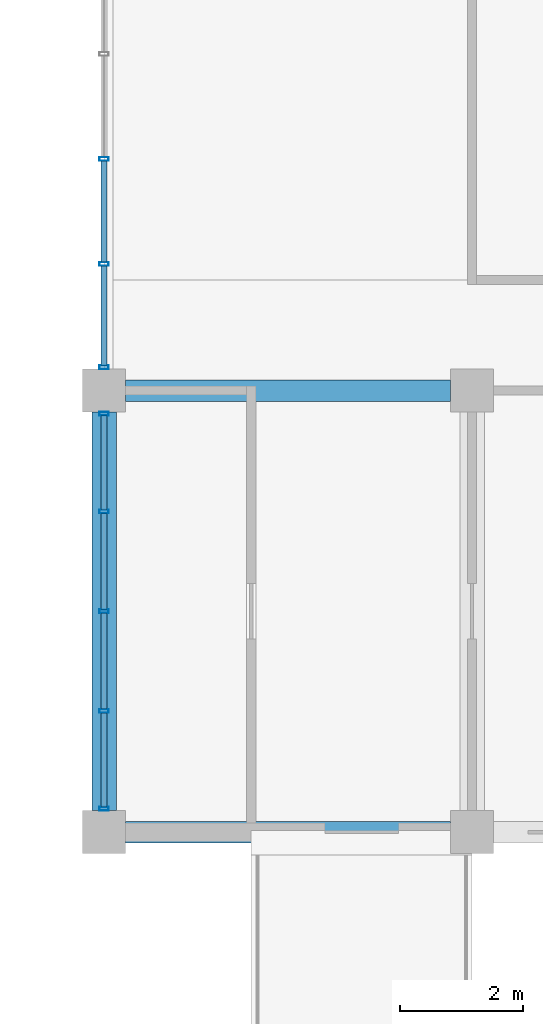
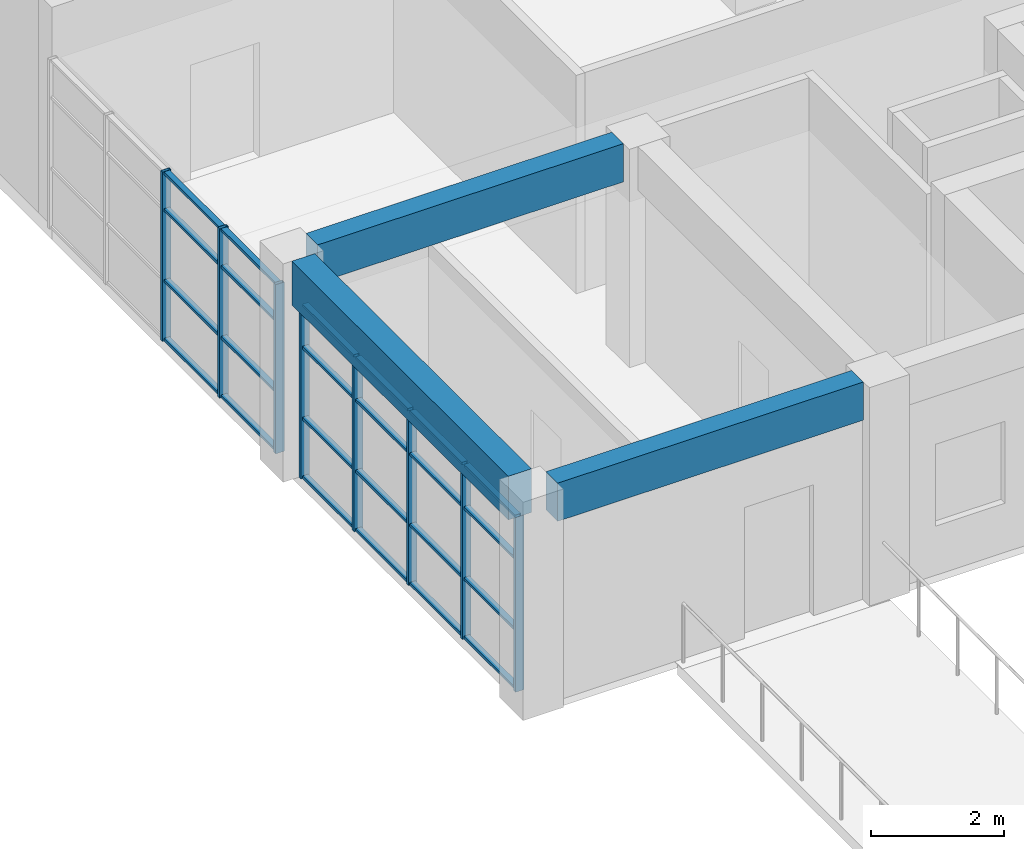
# One storey, part 46 of 101: 32 members, 3 beams, 2 elements without a shape of their own.
"""IFC4 building model written with IfcOpenShell, lengths in metres."""

from ifc_helpers import new_model, si_unit, direction, frame, origin, origin_2d, place, context, subcontext, project, spatial, rectangle, hollow_rectangle, extrude, material, material_profile, profile_set, type_object, element, aggregate, save


model = new_model("IFC4")

# Units and contexts
model_context = context("Model", 3, precision=1e-05, world=origin(), true_north=direction((0.0, 1.0)))
body_context = subcontext(model_context, "Body", "Model", "MODEL_VIEW")
ifc_project = project(units=[si_unit("LENGTHUNIT", "METRE"), si_unit("AREAUNIT", "SQUARE_METRE"), si_unit("VOLUMEUNIT", "CUBIC_METRE"), si_unit("PLANEANGLEUNIT", "RADIAN"), si_unit("MASSUNIT", "GRAM", prefix="KILO")], contexts=[model_context])

# Site, building, storey
site_placement = place(None, origin())
site = spatial("IfcSite", under=ifc_project, at=site_placement, CompositionType="ELEMENT")
building_placement = place(site_placement, origin())
building = spatial("IfcBuilding", under=site, at=building_placement, Name="Laocheng Heights Fire and Rescue Headquarters", CompositionType="ELEMENT")
storey_placement = place(building_placement, frame((0.0, 0.0, 8.39990234375)))
storey = spatial("IfcBuildingStorey", under=building, at=storey_placement, Name="L02", CompositionType="ELEMENT", Elevation=8.39990234375)

# Curtain wall, members
ifc_material_1 = material(Name="Dark anodised aluminium unitised curtain wall, low-e double glazing", Category="aluminium")
curtain_wall_type_1 = type_object("IfcCurtainWallType", Name="CW 6500 x 3200 CREW COURT GLAZING", PredefinedType="NOTDEFINED", material=ifc_material_1)
curtain_wall_1_placement = place(storey_placement, origin())
curtain_wall_1 = element("IfcCurtainWall", 1, at=curtain_wall_1_placement, inside=storey, type_object=curtain_wall_type_1, Name="X4-W CREW WEST L02", PredefinedType="NOTDEFINED")
ifc_material_2 = material(Name="Dark anodised aluminium 6063-T5 extrusion", Category="aluminium")
ifc_material_profile_1 = material_profile(ifc_material_2, hollow_rectangle(XDim=0.14990234375, YDim=0.06005859375, WallThickness=0.0029296875, at=origin_2d()), Name="AL MULLION 150x60x3 CREW COURT GLAZING")
ifc_profile_set_1 = profile_set([ifc_material_profile_1], Name="Dark anodised aluminium 6063-T5 extrusion")
member_type_1 = type_object("IfcMemberType", Name="AL MULLION 150x60x3 CREW COURT GLAZING", PredefinedType="MULLION", material=ifc_profile_set_1)
member_1_placement = place(storey_placement, frame((90.0, 36.3798828125, 0.0), z_axis=(0.0, 0.0, 1.0), x_axis=(-1.0, 0.0, 0.0)))
member_1 = element("IfcMember", 2, at=member_1_placement, type_object=member_type_1, Name="X4-W mullion 1", PredefinedType="MULLION", context=body_context, shape_type="SweptSolid", body=[
    extrude(hollow_rectangle(XDim=0.14990234375, YDim=0.06005859375, WallThickness=0.0029296875, at=origin_2d()), origin(), (0.0, 0.0, 1.0), 3.2001953125),
])
member_2_placement = place(storey_placement, frame((90.0, 37.97509765625, 0.0), z_axis=(0.0, 0.0, 1.0), x_axis=(-1.0, 0.0, 0.0)))
member_2 = element("IfcMember", 3, at=member_2_placement, type_object=member_type_1, Name="X4-W mullion 2", PredefinedType="MULLION", context=body_context, shape_type="SweptSolid", body=[
    extrude(hollow_rectangle(XDim=0.14990234375, YDim=0.06005859375, WallThickness=0.0029296875, at=origin_2d()), origin(), (0.0, 0.0, 1.0), 3.2001953125),
])
member_3_placement = place(storey_placement, frame((90.0, 39.60009765625, 0.0), z_axis=(0.0, 0.0, 1.0), x_axis=(-1.0, 0.0, 0.0)))
member_3 = element("IfcMember", 4, at=member_3_placement, type_object=member_type_1, Name="X4-W mullion 3", PredefinedType="MULLION", context=body_context, shape_type="SweptSolid", body=[
    extrude(hollow_rectangle(XDim=0.14990234375, YDim=0.06005859375, WallThickness=0.0029296875, at=origin_2d()), origin(), (0.0, 0.0, 1.0), 3.2001953125),
])
member_4_placement = place(storey_placement, frame((90.0, 41.22509765625, 0.0), z_axis=(0.0, 0.0, 1.0), x_axis=(-1.0, 0.0, 0.0)))
member_4 = element("IfcMember", 5, at=member_4_placement, type_object=member_type_1, Name="X4-W mullion 4", PredefinedType="MULLION", context=body_context, shape_type="SweptSolid", body=[
    extrude(hollow_rectangle(XDim=0.14990234375, YDim=0.06005859375, WallThickness=0.0029296875, at=origin_2d()), origin(), (0.0, 0.0, 1.0), 3.2001953125),
])
member_5_placement = place(storey_placement, frame((90.0, 42.820068359375, 0.0), z_axis=(0.0, 0.0, 1.0), x_axis=(-1.0, 0.0, 0.0)))
member_5 = element("IfcMember", 6, at=member_5_placement, type_object=member_type_1, Name="X4-W mullion 5", PredefinedType="MULLION", context=body_context, shape_type="SweptSolid", body=[
    extrude(hollow_rectangle(XDim=0.14990234375, YDim=0.06005859375, WallThickness=0.0029296875, at=origin_2d()), origin(), (0.0, 0.0, 1.0), 3.2001953125),
])

ifc_material_3 = material(Name="Dark anodised aluminium unitised curtain wall, low-e double glazing", Category="aluminium")
curtain_wall_type_2 = type_object("IfcCurtainWallType", Name="CW 6850 x 3100 CREW COURT GLAZING", PredefinedType="NOTDEFINED", material=ifc_material_3)
curtain_wall_2_placement = place(storey_placement, origin())
curtain_wall_2 = element("IfcCurtainWall", 7, at=curtain_wall_2_placement, inside=storey, type_object=curtain_wall_type_2, Name="X5-W CREW WEST L02", PredefinedType="NOTDEFINED")
member_6_placement = place(storey_placement, frame((90.0, 43.580078125, 0.0), z_axis=(0.0, 0.0, 1.0), x_axis=(-1.0, 0.0, 0.0)))
member_6 = element("IfcMember", 8, at=member_6_placement, type_object=member_type_1, Name="X5-W mullion 1", PredefinedType="MULLION", context=body_context, shape_type="SweptSolid", body=[
    extrude(hollow_rectangle(XDim=0.14990234375, YDim=0.06005859375, WallThickness=0.0029296875, at=origin_2d()), origin(), (0.0, 0.0, 1.0), 3.10009765625),
])
member_7_placement = place(storey_placement, frame((90.0, 45.262451171875, 0.0), z_axis=(0.0, 0.0, 1.0), x_axis=(-1.0, 0.0, 0.0)))
member_7 = element("IfcMember", 9, at=member_7_placement, type_object=member_type_1, Name="X5-W mullion 2", PredefinedType="MULLION", context=body_context, shape_type="SweptSolid", body=[
    extrude(hollow_rectangle(XDim=0.14990234375, YDim=0.06005859375, WallThickness=0.0029296875, at=origin_2d()), origin(), (0.0, 0.0, 1.0), 3.10009765625),
])
member_8_placement = place(storey_placement, frame((90.0, 46.97509765625, 0.0), z_axis=(0.0, 0.0, 1.0), x_axis=(-1.0, 0.0, 0.0)))
member_8 = element("IfcMember", 10, at=member_8_placement, type_object=member_type_1, Name="X5-W mullion 3", PredefinedType="MULLION", context=body_context, shape_type="SweptSolid", body=[
    extrude(hollow_rectangle(XDim=0.14990234375, YDim=0.06005859375, WallThickness=0.0029296875, at=origin_2d()), origin(), (0.0, 0.0, 1.0), 3.10009765625),
])

# Member
ifc_material_4 = material(Name="Dark anodised aluminium 6063-T5 extrusion", Category="aluminium")
ifc_material_profile_2 = material_profile(ifc_material_4, hollow_rectangle(XDim=0.10009765625, YDim=0.050048828125, WallThickness=0.0029296875, at=origin_2d()), Name="AL TRANSOM 100x50x3 CREW COURT GLAZING")
ifc_profile_set_2 = profile_set([ifc_material_profile_2], Name="Dark anodised aluminium 6063-T5 extrusion")
member_type_2 = type_object("IfcMemberType", Name="AL TRANSOM 100x50x3 CREW COURT GLAZING", PredefinedType="USERDEFINED", material=ifc_profile_set_2)
member_9_placement = place(storey_placement, frame((90.0, 36.409912109375, 0.025146484375), z_axis=(0.0, 1.0, 0.0), x_axis=(-1.0, 0.0, 0.0)))
member_9 = element("IfcMember", 11, at=member_9_placement, type_object=member_type_2, Name="X4-W transom 1.1", ObjectType="TRANSOM", PredefinedType="USERDEFINED", context=body_context, shape_type="SweptSolid", body=[
    extrude(hollow_rectangle(XDim=0.10009765625, YDim=0.050048828125, WallThickness=0.0029296875, at=origin_2d()), origin(), (0.0, 0.0, 1.0), 1.53515625),
])

member_10_placement = place(storey_placement, frame((90.0, 36.409912109375, 1.10009765625), z_axis=(0.0, 1.0, 0.0), x_axis=(-1.0, 0.0, 0.0)))
member_10 = element("IfcMember", 12, at=member_10_placement, type_object=member_type_2, Name="X4-W transom 1.2", ObjectType="TRANSOM", PredefinedType="USERDEFINED", context=body_context, shape_type="SweptSolid", body=[
    extrude(hollow_rectangle(XDim=0.10009765625, YDim=0.050048828125, WallThickness=0.0029296875, at=origin_2d()), origin(), (0.0, 0.0, 1.0), 1.53515625),
])

member_11_placement = place(storey_placement, frame((90.0, 36.409912109375, 2.400146484375), z_axis=(0.0, 1.0, 0.0), x_axis=(-1.0, 0.0, 0.0)))
member_11 = element("IfcMember", 13, at=member_11_placement, type_object=member_type_2, Name="X4-W transom 1.3", ObjectType="TRANSOM", PredefinedType="USERDEFINED", context=body_context, shape_type="SweptSolid", body=[
    extrude(hollow_rectangle(XDim=0.10009765625, YDim=0.050048828125, WallThickness=0.0029296875, at=origin_2d()), origin(), (0.0, 0.0, 1.0), 1.53515625),
])

member_12_placement = place(storey_placement, frame((90.0, 36.409912109375, 3.175048828125), z_axis=(0.0, 1.0, 0.0), x_axis=(-1.0, 0.0, 0.0)))
member_12 = element("IfcMember", 14, at=member_12_placement, type_object=member_type_2, Name="X4-W transom 1.4", ObjectType="TRANSOM", PredefinedType="USERDEFINED", context=body_context, shape_type="SweptSolid", body=[
    extrude(hollow_rectangle(XDim=0.10009765625, YDim=0.050048828125, WallThickness=0.0029296875, at=origin_2d()), origin(), (0.0, 0.0, 1.0), 1.53515625),
])

member_13_placement = place(storey_placement, frame((90.0, 38.0048828125, 0.025146484375), z_axis=(0.0, 1.0, 0.0), x_axis=(-1.0, 0.0, 0.0)))
member_13 = element("IfcMember", 15, at=member_13_placement, type_object=member_type_2, Name="X4-W transom 2.1", ObjectType="TRANSOM", PredefinedType="USERDEFINED", context=body_context, shape_type="SweptSolid", body=[
    extrude(hollow_rectangle(XDim=0.10009765625, YDim=0.050048828125, WallThickness=0.0029296875, at=origin_2d()), origin(), (0.0, 0.0, 1.0), 1.565185546875),
])

member_14_placement = place(storey_placement, frame((90.0, 38.0048828125, 1.10009765625), z_axis=(0.0, 1.0, 0.0), x_axis=(-1.0, 0.0, 0.0)))
member_14 = element("IfcMember", 16, at=member_14_placement, type_object=member_type_2, Name="X4-W transom 2.2", ObjectType="TRANSOM", PredefinedType="USERDEFINED", context=body_context, shape_type="SweptSolid", body=[
    extrude(hollow_rectangle(XDim=0.10009765625, YDim=0.050048828125, WallThickness=0.0029296875, at=origin_2d()), origin(), (0.0, 0.0, 1.0), 1.565185546875),
])

member_15_placement = place(storey_placement, frame((90.0, 38.0048828125, 2.400146484375), z_axis=(0.0, 1.0, 0.0), x_axis=(-1.0, 0.0, 0.0)))
member_15 = element("IfcMember", 17, at=member_15_placement, type_object=member_type_2, Name="X4-W transom 2.3", ObjectType="TRANSOM", PredefinedType="USERDEFINED", context=body_context, shape_type="SweptSolid", body=[
    extrude(hollow_rectangle(XDim=0.10009765625, YDim=0.050048828125, WallThickness=0.0029296875, at=origin_2d()), origin(), (0.0, 0.0, 1.0), 1.565185546875),
])

member_16_placement = place(storey_placement, frame((90.0, 38.0048828125, 3.175048828125), z_axis=(0.0, 1.0, 0.0), x_axis=(-1.0, 0.0, 0.0)))
member_16 = element("IfcMember", 18, at=member_16_placement, type_object=member_type_2, Name="X4-W transom 2.4", ObjectType="TRANSOM", PredefinedType="USERDEFINED", context=body_context, shape_type="SweptSolid", body=[
    extrude(hollow_rectangle(XDim=0.10009765625, YDim=0.050048828125, WallThickness=0.0029296875, at=origin_2d()), origin(), (0.0, 0.0, 1.0), 1.565185546875),
])

member_17_placement = place(storey_placement, frame((90.0, 39.6298828125, 0.025146484375), z_axis=(0.0, 1.0, 0.0), x_axis=(-1.0, 0.0, 0.0)))
member_17 = element("IfcMember", 19, at=member_17_placement, type_object=member_type_2, Name="X4-W transom 3.1", ObjectType="TRANSOM", PredefinedType="USERDEFINED", context=body_context, shape_type="SweptSolid", body=[
    extrude(hollow_rectangle(XDim=0.10009765625, YDim=0.050048828125, WallThickness=0.0029296875, at=origin_2d()), origin(), (0.0, 0.0, 1.0), 1.565185546875),
])

member_18_placement = place(storey_placement, frame((90.0, 39.6298828125, 1.10009765625), z_axis=(0.0, 1.0, 0.0), x_axis=(-1.0, 0.0, 0.0)))
member_18 = element("IfcMember", 20, at=member_18_placement, type_object=member_type_2, Name="X4-W transom 3.2", ObjectType="TRANSOM", PredefinedType="USERDEFINED", context=body_context, shape_type="SweptSolid", body=[
    extrude(hollow_rectangle(XDim=0.10009765625, YDim=0.050048828125, WallThickness=0.0029296875, at=origin_2d()), origin(), (0.0, 0.0, 1.0), 1.565185546875),
])

member_19_placement = place(storey_placement, frame((90.0, 39.6298828125, 2.400146484375), z_axis=(0.0, 1.0, 0.0), x_axis=(-1.0, 0.0, 0.0)))
member_19 = element("IfcMember", 21, at=member_19_placement, type_object=member_type_2, Name="X4-W transom 3.3", ObjectType="TRANSOM", PredefinedType="USERDEFINED", context=body_context, shape_type="SweptSolid", body=[
    extrude(hollow_rectangle(XDim=0.10009765625, YDim=0.050048828125, WallThickness=0.0029296875, at=origin_2d()), origin(), (0.0, 0.0, 1.0), 1.565185546875),
])

member_20_placement = place(storey_placement, frame((90.0, 39.6298828125, 3.175048828125), z_axis=(0.0, 1.0, 0.0), x_axis=(-1.0, 0.0, 0.0)))
member_20 = element("IfcMember", 22, at=member_20_placement, type_object=member_type_2, Name="X4-W transom 3.4", ObjectType="TRANSOM", PredefinedType="USERDEFINED", context=body_context, shape_type="SweptSolid", body=[
    extrude(hollow_rectangle(XDim=0.10009765625, YDim=0.050048828125, WallThickness=0.0029296875, at=origin_2d()), origin(), (0.0, 0.0, 1.0), 1.565185546875),
])

member_21_placement = place(storey_placement, frame((90.0, 41.2548828125, 0.025146484375), z_axis=(0.0, 1.0, 0.0), x_axis=(-1.0, 0.0, 0.0)))
member_21 = element("IfcMember", 23, at=member_21_placement, type_object=member_type_2, Name="X4-W transom 4.1", ObjectType="TRANSOM", PredefinedType="USERDEFINED", context=body_context, shape_type="SweptSolid", body=[
    extrude(hollow_rectangle(XDim=0.10009765625, YDim=0.050048828125, WallThickness=0.0029296875, at=origin_2d()), origin(), (0.0, 0.0, 1.0), 1.53515625),
])

member_22_placement = place(storey_placement, frame((90.0, 41.2548828125, 1.10009765625), z_axis=(0.0, 1.0, 0.0), x_axis=(-1.0, 0.0, 0.0)))
member_22 = element("IfcMember", 24, at=member_22_placement, type_object=member_type_2, Name="X4-W transom 4.2", ObjectType="TRANSOM", PredefinedType="USERDEFINED", context=body_context, shape_type="SweptSolid", body=[
    extrude(hollow_rectangle(XDim=0.10009765625, YDim=0.050048828125, WallThickness=0.0029296875, at=origin_2d()), origin(), (0.0, 0.0, 1.0), 1.53515625),
])

member_23_placement = place(storey_placement, frame((90.0, 41.2548828125, 2.400146484375), z_axis=(0.0, 1.0, 0.0), x_axis=(-1.0, 0.0, 0.0)))
member_23 = element("IfcMember", 25, at=member_23_placement, type_object=member_type_2, Name="X4-W transom 4.3", ObjectType="TRANSOM", PredefinedType="USERDEFINED", context=body_context, shape_type="SweptSolid", body=[
    extrude(hollow_rectangle(XDim=0.10009765625, YDim=0.050048828125, WallThickness=0.0029296875, at=origin_2d()), origin(), (0.0, 0.0, 1.0), 1.53515625),
])

member_24_placement = place(storey_placement, frame((90.0, 41.2548828125, 3.175048828125), z_axis=(0.0, 1.0, 0.0), x_axis=(-1.0, 0.0, 0.0)))
member_24 = element("IfcMember", 26, at=member_24_placement, type_object=member_type_2, Name="X4-W transom 4.4", ObjectType="TRANSOM", PredefinedType="USERDEFINED", context=body_context, shape_type="SweptSolid", body=[
    extrude(hollow_rectangle(XDim=0.10009765625, YDim=0.050048828125, WallThickness=0.0029296875, at=origin_2d()), origin(), (0.0, 0.0, 1.0), 1.53515625),
])

aggregate(curtain_wall_1, [member_1, member_2, member_3, member_4, member_5, member_9, member_10, member_11, member_12, member_13, member_14, member_15, member_16, member_17, member_18, member_19, member_20, member_21, member_22, member_23, member_24])

member_25_placement = place(storey_placement, frame((90.0, 43.610107421875, 0.025146484375), z_axis=(0.0, 1.0, 0.0), x_axis=(-1.0, 0.0, 0.0)))
member_25 = element("IfcMember", 27, at=member_25_placement, type_object=member_type_2, Name="X5-W transom 1.1", ObjectType="TRANSOM", PredefinedType="USERDEFINED", context=body_context, shape_type="SweptSolid", body=[
    extrude(hollow_rectangle(XDim=0.10009765625, YDim=0.050048828125, WallThickness=0.0029296875, at=origin_2d()), origin(), (0.0, 0.0, 1.0), 1.622314453125),
])

member_26_placement = place(storey_placement, frame((90.0, 43.610107421875, 1.10009765625), z_axis=(0.0, 1.0, 0.0), x_axis=(-1.0, 0.0, 0.0)))
member_26 = element("IfcMember", 28, at=member_26_placement, type_object=member_type_2, Name="X5-W transom 1.2", ObjectType="TRANSOM", PredefinedType="USERDEFINED", context=body_context, shape_type="SweptSolid", body=[
    extrude(hollow_rectangle(XDim=0.10009765625, YDim=0.050048828125, WallThickness=0.0029296875, at=origin_2d()), origin(), (0.0, 0.0, 1.0), 1.622314453125),
])

member_27_placement = place(storey_placement, frame((90.0, 43.610107421875, 2.400146484375), z_axis=(0.0, 1.0, 0.0), x_axis=(-1.0, 0.0, 0.0)))
member_27 = element("IfcMember", 29, at=member_27_placement, type_object=member_type_2, Name="X5-W transom 1.3", ObjectType="TRANSOM", PredefinedType="USERDEFINED", context=body_context, shape_type="SweptSolid", body=[
    extrude(hollow_rectangle(XDim=0.10009765625, YDim=0.050048828125, WallThickness=0.0029296875, at=origin_2d()), origin(), (0.0, 0.0, 1.0), 1.622314453125),
])

member_28_placement = place(storey_placement, frame((90.0, 43.610107421875, 3.0751953125), z_axis=(0.0, 1.0, 0.0), x_axis=(-1.0, 0.0, 0.0)))
member_28 = element("IfcMember", 30, at=member_28_placement, type_object=member_type_2, Name="X5-W transom 1.4", ObjectType="TRANSOM", PredefinedType="USERDEFINED", context=body_context, shape_type="SweptSolid", body=[
    extrude(hollow_rectangle(XDim=0.10009765625, YDim=0.050048828125, WallThickness=0.0029296875, at=origin_2d()), origin(), (0.0, 0.0, 1.0), 1.622314453125),
])

member_29_placement = place(storey_placement, frame((90.0, 45.29248046875, 0.025146484375), z_axis=(0.0, 1.0, 0.0), x_axis=(-1.0, 0.0, 0.0)))
member_29 = element("IfcMember", 31, at=member_29_placement, type_object=member_type_2, Name="X5-W transom 2.1", ObjectType="TRANSOM", PredefinedType="USERDEFINED", context=body_context, shape_type="SweptSolid", body=[
    extrude(hollow_rectangle(XDim=0.10009765625, YDim=0.050048828125, WallThickness=0.0029296875, at=origin_2d()), origin(), (0.0, 0.0, 1.0), 1.652587890625),
])

member_30_placement = place(storey_placement, frame((90.0, 45.29248046875, 1.10009765625), z_axis=(0.0, 1.0, 0.0), x_axis=(-1.0, 0.0, 0.0)))
member_30 = element("IfcMember", 32, at=member_30_placement, type_object=member_type_2, Name="X5-W transom 2.2", ObjectType="TRANSOM", PredefinedType="USERDEFINED", context=body_context, shape_type="SweptSolid", body=[
    extrude(hollow_rectangle(XDim=0.10009765625, YDim=0.050048828125, WallThickness=0.0029296875, at=origin_2d()), origin(), (0.0, 0.0, 1.0), 1.652587890625),
])

member_31_placement = place(storey_placement, frame((90.0, 45.29248046875, 2.400146484375), z_axis=(0.0, 1.0, 0.0), x_axis=(-1.0, 0.0, 0.0)))
member_31 = element("IfcMember", 33, at=member_31_placement, type_object=member_type_2, Name="X5-W transom 2.3", ObjectType="TRANSOM", PredefinedType="USERDEFINED", context=body_context, shape_type="SweptSolid", body=[
    extrude(hollow_rectangle(XDim=0.10009765625, YDim=0.050048828125, WallThickness=0.0029296875, at=origin_2d()), origin(), (0.0, 0.0, 1.0), 1.652587890625),
])

member_32_placement = place(storey_placement, frame((90.0, 45.29248046875, 3.0751953125), z_axis=(0.0, 1.0, 0.0), x_axis=(-1.0, 0.0, 0.0)))
member_32 = element("IfcMember", 34, at=member_32_placement, type_object=member_type_2, Name="X5-W transom 2.4", ObjectType="TRANSOM", PredefinedType="USERDEFINED", context=body_context, shape_type="SweptSolid", body=[
    extrude(hollow_rectangle(XDim=0.10009765625, YDim=0.050048828125, WallThickness=0.0029296875, at=origin_2d()), origin(), (0.0, 0.0, 1.0), 1.652587890625),
])

aggregate(curtain_wall_2, [member_6, member_7, member_8, member_25, member_26, member_27, member_28, member_29, member_30, member_31, member_32])

# Beams
ifc_material_5 = material(Name="Concrete C40", Category="concrete")
ifc_material_profile_3 = material_profile(ifc_material_5, rectangle(XDim=0.35009765625, YDim=0.699951171875, at=origin_2d()), Name="RC BEAM 350x700 CREW")
ifc_profile_set_3 = profile_set([ifc_material_profile_3], Name="Concrete C40")
beam_type_1 = type_object("IfcBeamType", Name="RC BEAM 350x700 CREW", PredefinedType="BEAM", material=ifc_profile_set_3)
for number, where, z_axis, x_axis, name in (
    (35, (90.35009765625, 36.0, 3.650146484375), (1.0, 0.0, 0.0), (0.0, 1.0, 0.0), "Crew beam L02"),
    (36, (90.35009765625, 43.199951171875, 3.650146484375), (1.0, 0.0, 0.0), (0.0, 1.0, 0.0), "Crew beam L02"),
):
    element("IfcBeam", number, at=place(storey_placement, frame(where, z_axis=z_axis, x_axis=x_axis)), inside=storey, type_object=beam_type_1, Name=name, PredefinedType="BEAM", context=body_context, shape_type="SweptSolid", body=[
        extrude(rectangle(XDim=0.35009765625, YDim=0.699951171875, at=origin_2d()), origin(), (0.0, 0.0, 1.0), 5.2998046875),
    ])
ifc_material_6 = material(Name="Concrete C40", Category="concrete")
ifc_material_profile_4 = material_profile(ifc_material_6, rectangle(XDim=0.39990234375, YDim=0.800048828125, at=origin_2d()), Name="RC BEAM 400x800 CREW")
ifc_profile_set_4 = profile_set([ifc_material_profile_4], Name="Concrete C40")
beam_type_2 = type_object("IfcBeamType", Name="RC BEAM 400x800 CREW", PredefinedType="BEAM", material=ifc_profile_set_4)
beam_placement = place(storey_placement, frame((90.0, 36.35009765625, 3.60009765625), z_axis=(0.0, 1.0, 0.0), x_axis=(-1.0, 0.0, 0.0)))
element("IfcBeam", 37, at=beam_placement, inside=storey, type_object=beam_type_2, Name="Crew beam L02", PredefinedType="BEAM", context=body_context, shape_type="SweptSolid", body=[
    extrude(rectangle(XDim=0.39990234375, YDim=0.800048828125, at=origin_2d()), origin(), (0.0, 0.0, 1.0), 6.5),
])

save(model, "model.ifc")
